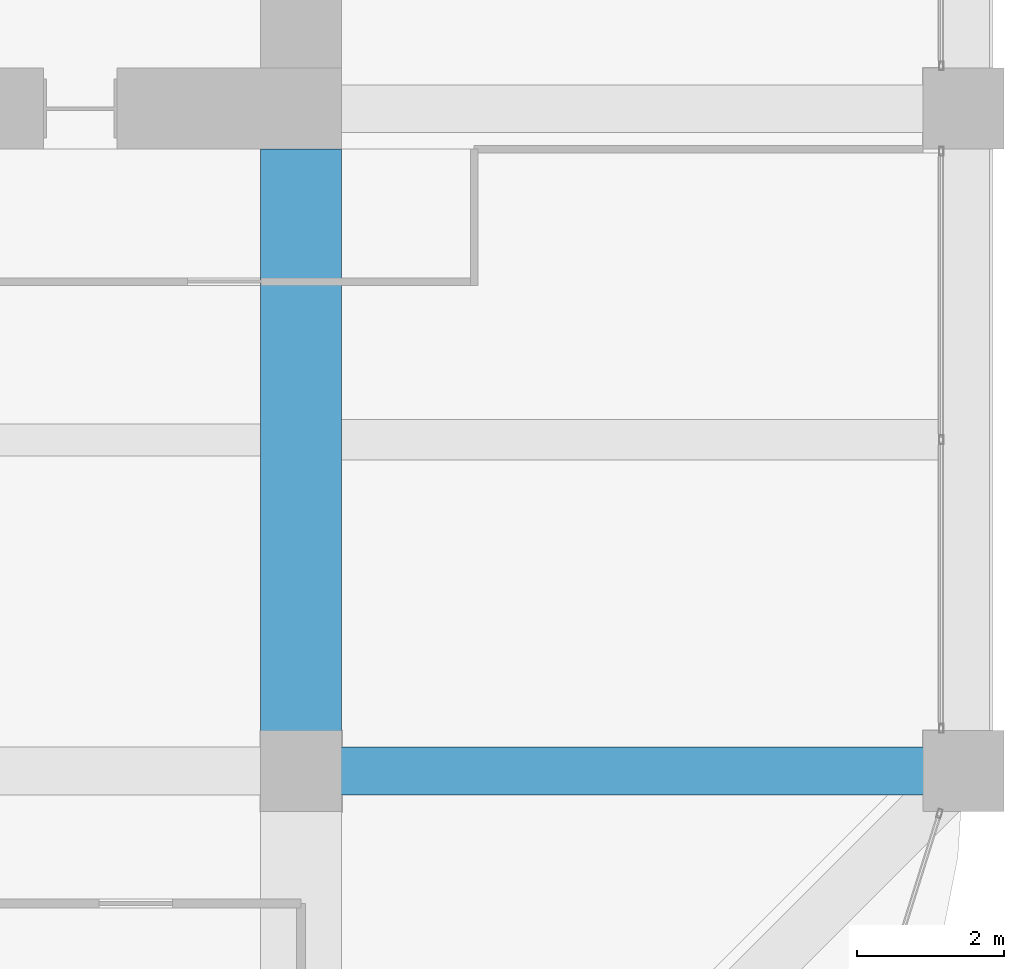
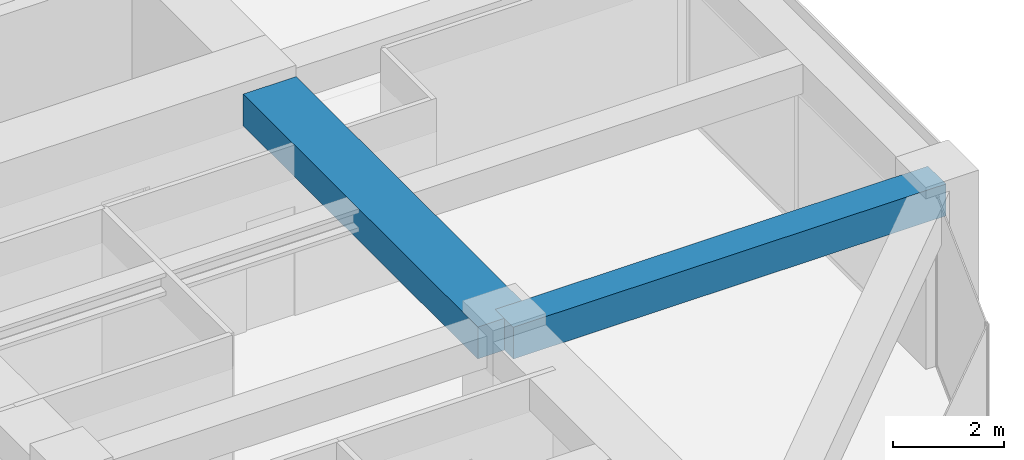
# One storey, part 21 of 44: 2 beams.
"""IFC4 building model written with IfcOpenShell, lengths in metres."""

from ifc_helpers import new_model, si_unit, direction, frame, origin, origin_2d, place, context, subcontext, project, spatial, rectangle, extrude, material, material_profile, profile_set, type_object, element, save


model = new_model("IFC4")

# Units and contexts
model_context = context("Model", 3, precision=1e-05, world=origin(), true_north=direction((0.0, 1.0)))
body_context = subcontext(model_context, "Body", "Model", "MODEL_VIEW")
ifc_project = project(units=[si_unit("LENGTHUNIT", "METRE"), si_unit("AREAUNIT", "SQUARE_METRE"), si_unit("VOLUMEUNIT", "CUBIC_METRE"), si_unit("PLANEANGLEUNIT", "RADIAN"), si_unit("MASSUNIT", "GRAM", prefix="KILO")], contexts=[model_context])

# Site, building, storey
site_placement = place(None, origin())
site = spatial("IfcSite", under=ifc_project, at=site_placement, CompositionType="ELEMENT")
building_placement = place(site_placement, origin())
building = spatial("IfcBuilding", under=site, at=building_placement, Name="Zorevar Civic Tower", CompositionType="ELEMENT")
storey_placement = place(building_placement, frame((0.0, 0.0, 283.39990234375)))
storey = spatial("IfcBuildingStorey", under=building, at=storey_placement, Name="L69", CompositionType="ELEMENT", Elevation=283.39990234375)

# Beams
ifc_material_1 = material(Name="Concrete C50/60", Category="concrete")
ifc_material_profile_1 = material_profile(ifc_material_1, rectangle(XDim=1.10009765625, YDim=0.699951171875, at=origin_2d()), Name="RC 1100x700")
ifc_profile_set_1 = profile_set([ifc_material_profile_1], Name="Concrete C50/60")
beam_type_1 = type_object("IfcBeamType", Name="Beam RC 1100x700", PredefinedType="BEAM", material=ifc_profile_set_1)
beam_1_placement = place(storey_placement, frame((45.0, 9.0, 3.400146484375), z_axis=(0.0, 1.0, 0.0), x_axis=(-1.0, 0.0, 0.0)))
element("IfcBeam", 1, at=beam_1_placement, inside=storey, type_object=beam_type_1, Name="Girder L70", PredefinedType="BEAM", context=body_context, shape_type="SweptSolid", body=[
    extrude(rectangle(XDim=1.10009765625, YDim=0.699951171875, at=origin_2d()), origin(), (0.0, 0.0, 1.0), 8.449951171875),
])
ifc_material_2 = material(Name="Concrete C50/60", Category="concrete")
ifc_material_profile_2 = material_profile(ifc_material_2, rectangle(XDim=0.64990234375, YDim=0.699951171875, at=origin_2d()), Name="RC 650x700")
ifc_profile_set_2 = profile_set([ifc_material_profile_2], Name="Concrete C50/60")
beam_type_2 = type_object("IfcBeamType", Name="Beam RC 650x700", PredefinedType="BEAM", material=ifc_profile_set_2)
beam_2_placement = place(storey_placement, frame((45.0, 9.0, 3.400146484375), z_axis=(1.0, 0.0, 0.0), x_axis=(0.0, 1.0, 0.0)))
element("IfcBeam", 2, at=beam_2_placement, inside=storey, type_object=beam_type_2, Name="Girder L70", PredefinedType="BEAM", context=body_context, shape_type="SweptSolid", body=[
    extrude(rectangle(XDim=0.64990234375, YDim=0.699951171875, at=origin_2d()), origin(), (0.0, 0.0, 1.0), 9.0),
])

save(model, "model.ifc")
